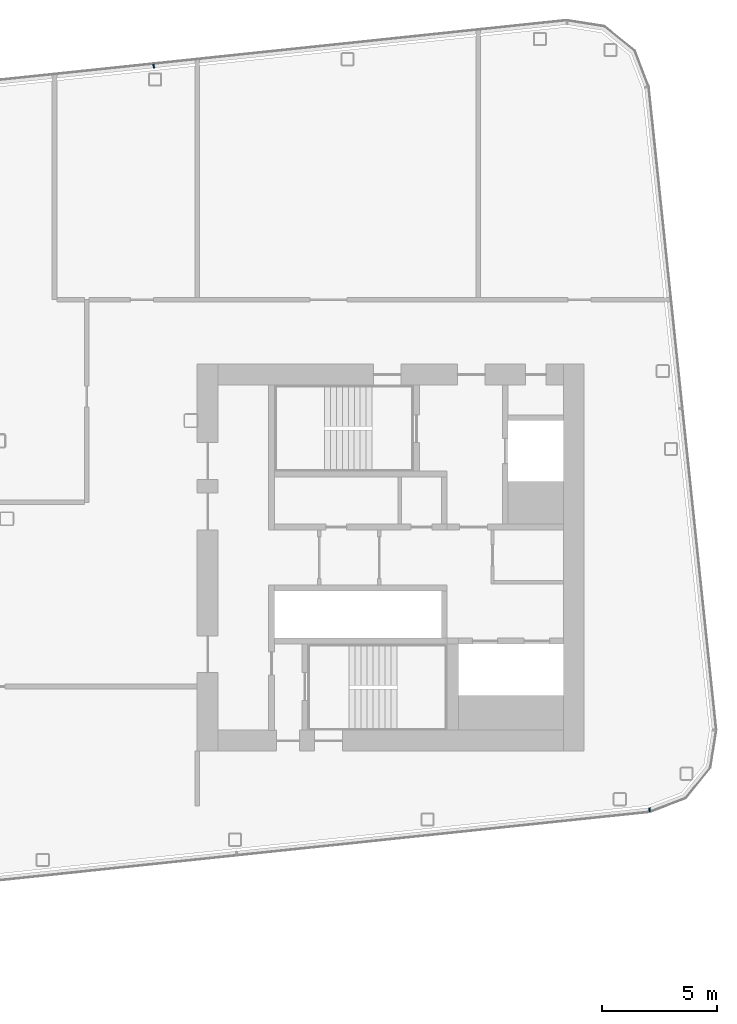
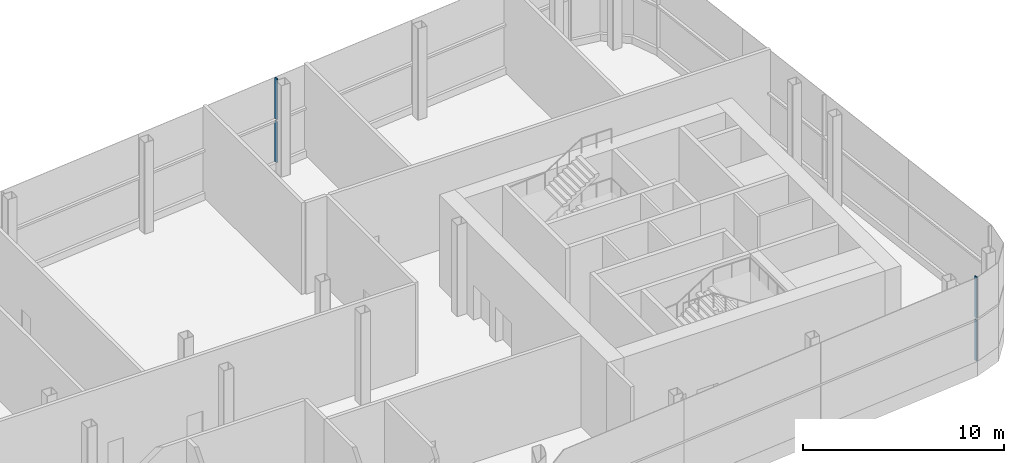
# One storey, part 11 of 35: 4 members, 2 elements without a shape of their own.
"""IFC4 building model written with IfcOpenShell, lengths in metres."""

from ifc_helpers import new_model, si_unit, direction, frame, origin, origin_2d, place, context, subcontext, project, spatial, rectangle, extrude, material, layer, layer_set, material_profile, profile_set, type_object, element, aggregate, save


model = new_model("IFC4")

# Units and contexts
model_context = context("Model", 3, precision=1e-05, world=origin(), true_north=direction((0.0, 1.0)))
body_context = subcontext(model_context, "Body", "Model", "MODEL_VIEW")
ifc_project = project(units=[si_unit("LENGTHUNIT", "METRE"), si_unit("AREAUNIT", "SQUARE_METRE"), si_unit("VOLUMEUNIT", "CUBIC_METRE"), si_unit("PLANEANGLEUNIT", "RADIAN"), si_unit("MASSUNIT", "GRAM", prefix="KILO")], contexts=[model_context])

# Site, building, storey
site_placement = place(None, origin())
site = spatial("IfcSite", under=ifc_project, at=site_placement, CompositionType="ELEMENT")
building_placement = place(site_placement, origin())
building = spatial("IfcBuilding", under=site, at=building_placement, Name="Hakoniwa Tower and Hamabe Station Hall", CompositionType="ELEMENT")
storey_placement = place(building_placement, frame((0.0, 0.0, 264.60009765625)))
storey = spatial("IfcBuildingStorey", under=building, at=storey_placement, Name="L75", CompositionType="ELEMENT", Elevation=264.60009765625)

# Curtain wall, members
ifc_material_1 = material(Name="Dark low-e laminated glass", Category="glass")
ifc_layer = layer(ifc_material_1, 0.199951171875)
ifc_layer_set = layer_set([ifc_layer], Name="CW-1 UNITISED GUEST")
curtain_wall_type = type_object("IfcCurtainWallType", Name="CW-1 UNITISED GUEST", PredefinedType="NOTDEFINED", material=ifc_layer_set)
curtain_wall_1_placement = place(storey_placement, origin())
curtain_wall_1 = element("IfcCurtainWall", 1, at=curtain_wall_1_placement, inside=storey, type_object=curtain_wall_type, Name="CW-1 curtain wall", PredefinedType="NOTDEFINED")
ifc_material_2 = material(Name="Aluminium 6063-T5 black anodised", Category="aluminium")
ifc_material_profile = material_profile(ifc_material_2, rectangle(XDim=0.06005859375, YDim=0.179931640625, at=origin_2d()), Name="CW-1 MULLION 60X180")
ifc_profile_set = profile_set([ifc_material_profile], Name="Aluminium 6063-T5 black anodised")
member_type = type_object("IfcMemberType", Name="CW-1 MULLION 60X180", PredefinedType="MULLION", material=ifc_profile_set)
member_1_placement = place(storey_placement, frame((14.911865234375, 21.343994140625, 0.349853515625), z_axis=(0.0, 0.0, 1.0), x_axis=(-0.994521895272, -0.104528464188, 0.0)))
member_1 = element("IfcMember", 2, at=member_1_placement, type_object=member_type, Name="CW-1 mullion", PredefinedType="MULLION", context=body_context, shape_type="SweptSolid", body=[
    extrude(rectangle(XDim=0.06005859375, YDim=0.179931640625, at=origin_2d()), origin(), (0.0, 0.0, 1.0), 2.489990234375),
])
member_2_placement = place(storey_placement, frame((14.911865234375, 21.343994140625, 2.9599609375), z_axis=(0.0, 0.0, 1.0), x_axis=(-0.994521895272, -0.104528464188, 0.0)))
member_2 = element("IfcMember", 3, at=member_2_placement, type_object=member_type, Name="CW-1 mullion", PredefinedType="MULLION", context=body_context, shape_type="SweptSolid", body=[
    extrude(rectangle(XDim=0.06005859375, YDim=0.179931640625, at=origin_2d()), origin(), (0.0, 0.0, 1.0), 2.489990234375),
])
aggregate(curtain_wall_1, [member_1, member_2])

curtain_wall_2_placement = place(storey_placement, origin())
curtain_wall_2 = element("IfcCurtainWall", 4, at=curtain_wall_2_placement, inside=storey, type_object=curtain_wall_type, Name="CW-1 curtain wall", PredefinedType="NOTDEFINED")
member_3_placement = place(storey_placement, frame((36.444580078125, -10.946044921875, 0.349853515625), z_axis=(0.0, 0.0, 1.0), x_axis=(0.994521895272, 0.104528464188, 0.0)))
member_3 = element("IfcMember", 5, at=member_3_placement, type_object=member_type, Name="CW-1 mullion", PredefinedType="MULLION", context=body_context, shape_type="SweptSolid", body=[
    extrude(rectangle(XDim=0.06005859375, YDim=0.179931640625, at=origin_2d()), origin(), (0.0, 0.0, 1.0), 2.489990234375),
])
member_4_placement = place(storey_placement, frame((36.444580078125, -10.946044921875, 2.9599609375), z_axis=(0.0, 0.0, 1.0), x_axis=(0.994521895272, 0.104528464188, 0.0)))
member_4 = element("IfcMember", 6, at=member_4_placement, type_object=member_type, Name="CW-1 mullion", PredefinedType="MULLION", context=body_context, shape_type="SweptSolid", body=[
    extrude(rectangle(XDim=0.06005859375, YDim=0.179931640625, at=origin_2d()), origin(), (0.0, 0.0, 1.0), 2.489990234375),
])
aggregate(curtain_wall_2, [member_3, member_4])

save(model, "model.ifc")
